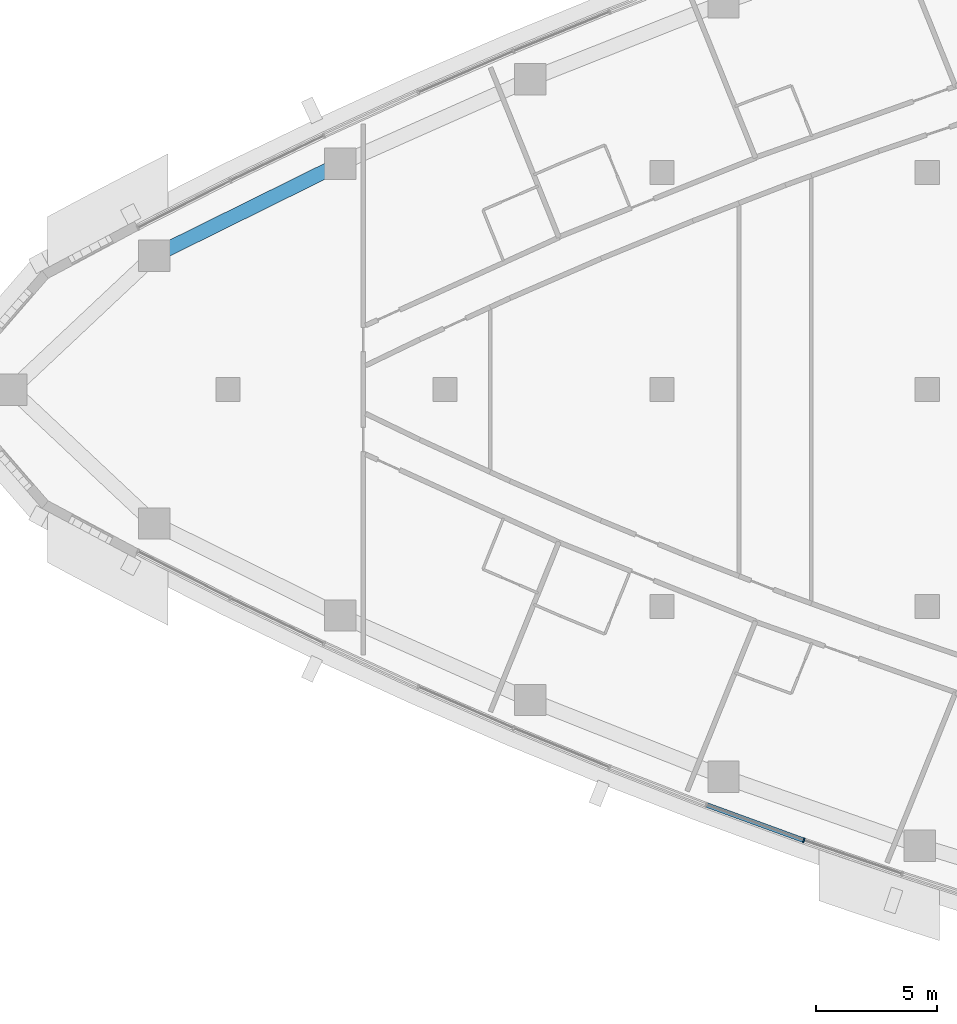
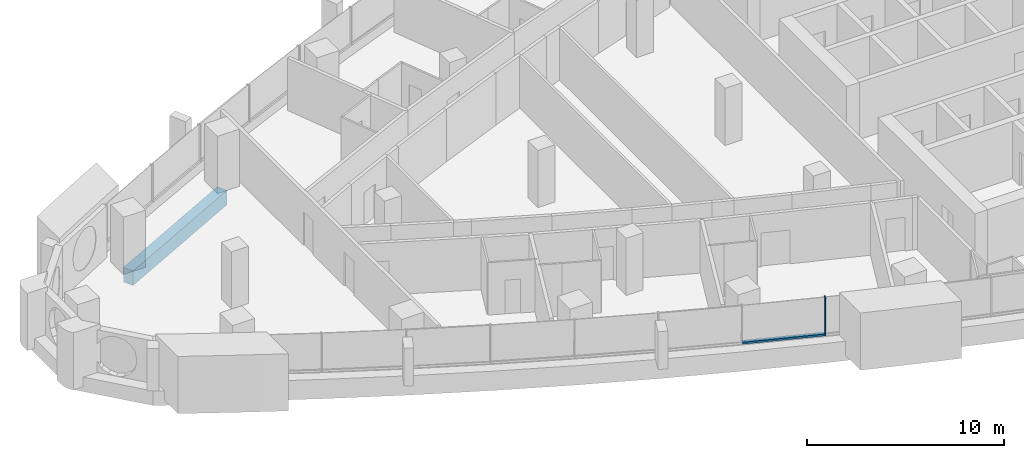
# One storey, part 3 of 17: 2 members, 1 beam, 1 element without a shape of its own.
"""IFC4 building model written with IfcOpenShell, lengths in metres."""

from ifc_helpers import new_model, si_unit, direction, frame, origin, origin_2d, place, context, subcontext, project, spatial, rectangle, extrude, material, layer, layer_set, material_profile, profile_set, type_object, element, aggregate, save


model = new_model("IFC4")

# Units and contexts
model_context = context("Model", 3, precision=1e-05, world=origin(), true_north=direction((0.0, 1.0)))
body_context = subcontext(model_context, "Body", "Model", "MODEL_VIEW")
ifc_project = project(units=[si_unit("LENGTHUNIT", "METRE"), si_unit("AREAUNIT", "SQUARE_METRE"), si_unit("VOLUMEUNIT", "CUBIC_METRE"), si_unit("PLANEANGLEUNIT", "RADIAN"), si_unit("MASSUNIT", "GRAM", prefix="KILO")], contexts=[model_context])

# Site, building, storey
site_placement = place(None, origin())
site = spatial("IfcSite", under=ifc_project, at=site_placement, CompositionType="ELEMENT")
building_placement = place(site_placement, origin())
building = spatial("IfcBuilding", under=site, at=building_placement, Name="Ostrand Prow Hotel Tower", CompositionType="ELEMENT")
storey_placement = place(building_placement, frame((0.0, 0.0, 193.25)))
storey = spatial("IfcBuildingStorey", under=building, at=storey_placement, Name="L48", CompositionType="ELEMENT", Elevation=193.25)

# Beam
ifc_material_1 = material(Name="Concrete C60/75", Category="concrete")
ifc_material_profile_1 = material_profile(ifc_material_1, rectangle(XDim=0.60009765625, YDim=0.89990234375, at=origin_2d()), Name="RC 600x900")
ifc_profile_set_1 = profile_set([ifc_material_profile_1], Name="Concrete C60/75")
beam_type = type_object("IfcBeamType", Name="Edge beam 600x900 C60/75", PredefinedType="SPANDREL", material=ifc_profile_set_1)
beam_placement = place(storey_placement, frame((20.656982421875, 9.373291015625, -0.75), z_axis=(-0.896383774903, -0.443278837856, 0.0), x_axis=(0.443278837856, -0.896383774903, 0.0)))
element("IfcBeam", 1, at=beam_placement, inside=storey, type_object=beam_type, Name="Edge beam N5-N6", PredefinedType="SPANDREL", context=body_context, shape_type="SweptSolid", body=[
    extrude(rectangle(XDim=0.60009765625, YDim=0.89990234375, at=origin_2d()), origin(), (0.0, 0.0, 1.0), 8.62158203125),
])

# Curtain wall, members
ifc_material_2 = material(Name="Insulated glass in bronze anodised frame", Category="glass")
ifc_layer = layer(ifc_material_2, 0.199951171875)
ifc_layer_set = layer_set([ifc_layer], Name="Insulated glass in bronze anodised frame")
curtain_wall_type = type_object("IfcCurtainWallType", Name="Strip curtain wall, fritted glass over bronze spandrel", PredefinedType="NOTDEFINED", material=ifc_layer_set)
curtain_wall_placement = place(storey_placement, origin())
curtain_wall = element("IfcCurtainWall", 2, at=curtain_wall_placement, inside=storey, type_object=curtain_wall_type, Name="CW1 run CWS4", PredefinedType="NOTDEFINED")
ifc_material_3 = material(Name="Bronze anodised aluminium", Category="aluminium")
ifc_material_profile_2 = material_profile(ifc_material_3, rectangle(XDim=0.199951171875, YDim=0.06005859375, at=origin_2d()), Name="Mullion 60x200 bronze anodised aluminium")
ifc_profile_set_2 = profile_set([ifc_material_profile_2], Name="Bronze anodised aluminium")
member_type_1 = type_object("IfcMemberType", Name="Mullion 60x200 bronze anodised aluminium", PredefinedType="MULLION", material=ifc_profile_set_2)
member_1_placement = place(storey_placement, frame((39.87939453125, -18.696533203125, 0.89990234375), z_axis=(0.0, 0.0, 1.0), x_axis=(0.322908332404, 0.946430245113, 0.0)))
member_1 = element("IfcMember", 3, at=member_1_placement, type_object=member_type_1, Name="CW1 mullion 2", PredefinedType="MULLION", context=body_context, shape_type="SweptSolid", body=[
    extrude(rectangle(XDim=0.199951171875, YDim=0.06005859375, at=origin_2d()), origin(), (0.0, 0.0, 1.0), 2.35009765625),
])
ifc_material_4 = material(Name="Bronze anodised aluminium", Category="aluminium")
ifc_material_profile_3 = material_profile(ifc_material_4, rectangle(XDim=0.199951171875, YDim=0.1201171875, at=origin_2d()), Name="Transom 120x200 bronze anodised aluminium")
ifc_profile_set_3 = profile_set([ifc_material_profile_3], Name="Bronze anodised aluminium")
member_type_2 = type_object("IfcMemberType", Name="Transom 120x200 bronze anodised aluminium", PredefinedType="USERDEFINED", material=ifc_profile_set_3)
member_2_placement = place(storey_placement, frame((35.86181640625, -17.235107421875, 0.9599609375), z_axis=(0.939753116272, -0.341853887584, 0.0), x_axis=(0.341853887584, 0.939753116272, 0.0)))
member_2 = element("IfcMember", 4, at=member_2_placement, type_object=member_type_2, Name="CW1 transom 1.1", ObjectType="TRANSOM", PredefinedType="USERDEFINED", context=body_context, shape_type="SweptSolid", body=[
    extrude(rectangle(XDim=0.199951171875, YDim=0.1201171875, at=origin_2d()), origin(), (0.0, 0.0, 1.0), 4.2451171875),
])
aggregate(curtain_wall, [member_1, member_2])

save(model, "model.ifc")
